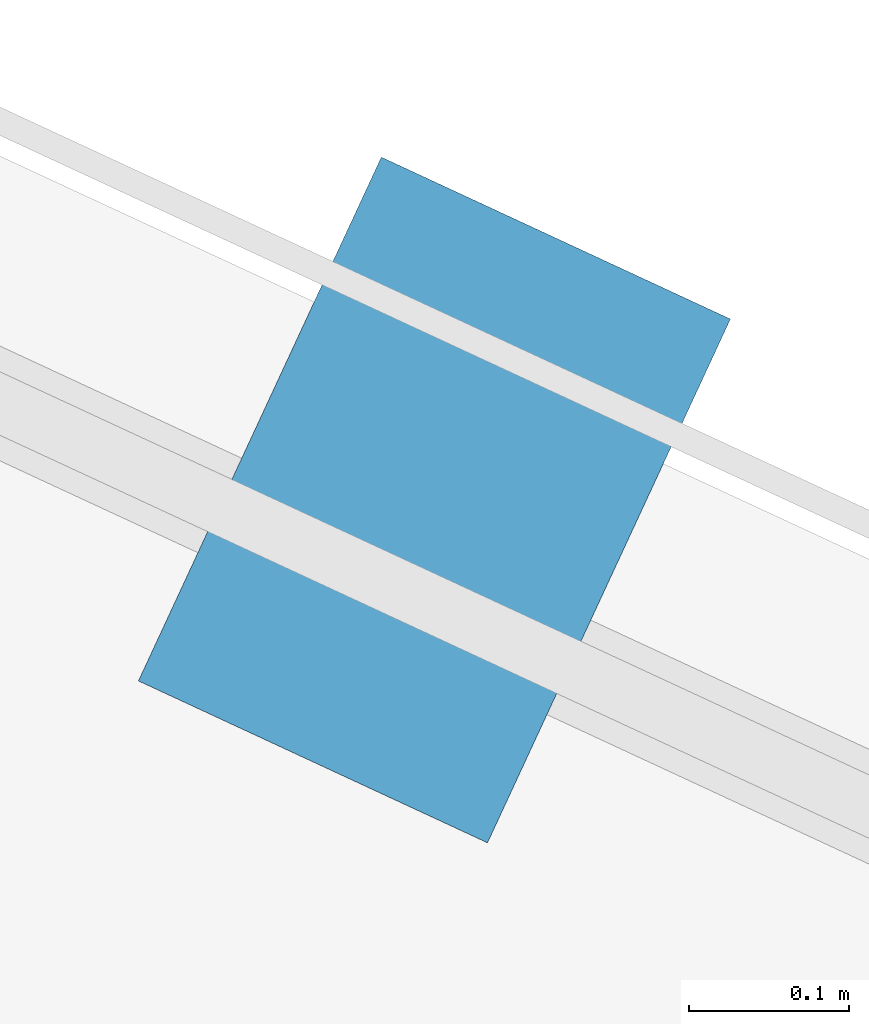
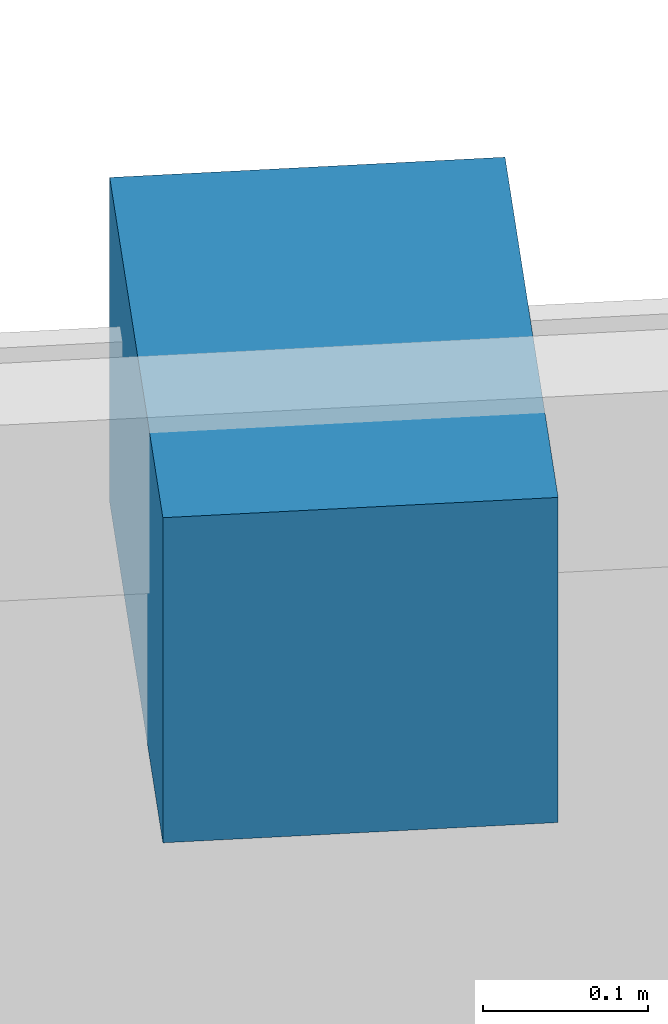
# One storey, part 122 of 128: 1 discrete accessory.
"""IFC4 building model written with IfcOpenShell, lengths in metres."""

from ifc_helpers import new_model, si_unit, direction, frame, origin, origin_2d, place, context, subcontext, project, spatial, rectangle, extrude, material, type_object, element, save


model = new_model("IFC4")

# Units and contexts
model_context = context("Model", 3, precision=1e-05, world=origin(), true_north=direction((0.0, 1.0)))
body_context = subcontext(model_context, "Body", "Model", "MODEL_VIEW")
ifc_project = project(units=[si_unit("LENGTHUNIT", "METRE"), si_unit("AREAUNIT", "SQUARE_METRE"), si_unit("VOLUMEUNIT", "CUBIC_METRE"), si_unit("PLANEANGLEUNIT", "RADIAN"), si_unit("MASSUNIT", "GRAM", prefix="KILO")], contexts=[model_context])

# Site, building, storey
site_placement = place(None, origin())
site = spatial("IfcSite", under=ifc_project, at=site_placement, CompositionType="ELEMENT")
building_placement = place(site_placement, origin())
building = spatial("IfcBuilding", under=site, at=building_placement, Name="Xicomal Pleat Aquarium", CompositionType="ELEMENT")
storey_placement = place(building_placement, frame((0.0, 0.0, 5.39990234375)))
storey = spatial("IfcBuildingStorey", under=building, at=storey_placement, Name="L02", CompositionType="ELEMENT", Elevation=5.39990234375)

# Discrete accessory
ifc_material = material(Name="Stainless steel 316L", Category="steel")
discrete_accessory_type = type_object("IfcDiscreteAccessoryType", Name="ACC-BRK-STL", PredefinedType="BRACKET", material=ifc_material)
discrete_accessory_placement = place(storey_placement, frame((146.81591796875, 103.126953125, 4.60009765625), z_axis=(0.0, 0.0, 1.0), x_axis=(0.907190928252, -0.420719169633, 0.0)))
element("IfcDiscreteAccessory", 1, at=discrete_accessory_placement, inside=storey, type_object=discrete_accessory_type, Name="L02 sunshade support bracket 48", PredefinedType="BRACKET", context=body_context, shape_type="SweptSolid", body=[
    extrude(rectangle(XDim=0.239990234375, YDim=0.360107421875, at=origin_2d()), origin(), (0.0, 0.0, 1.0), 0.239990234375),
])

save(model, "model.ifc")
